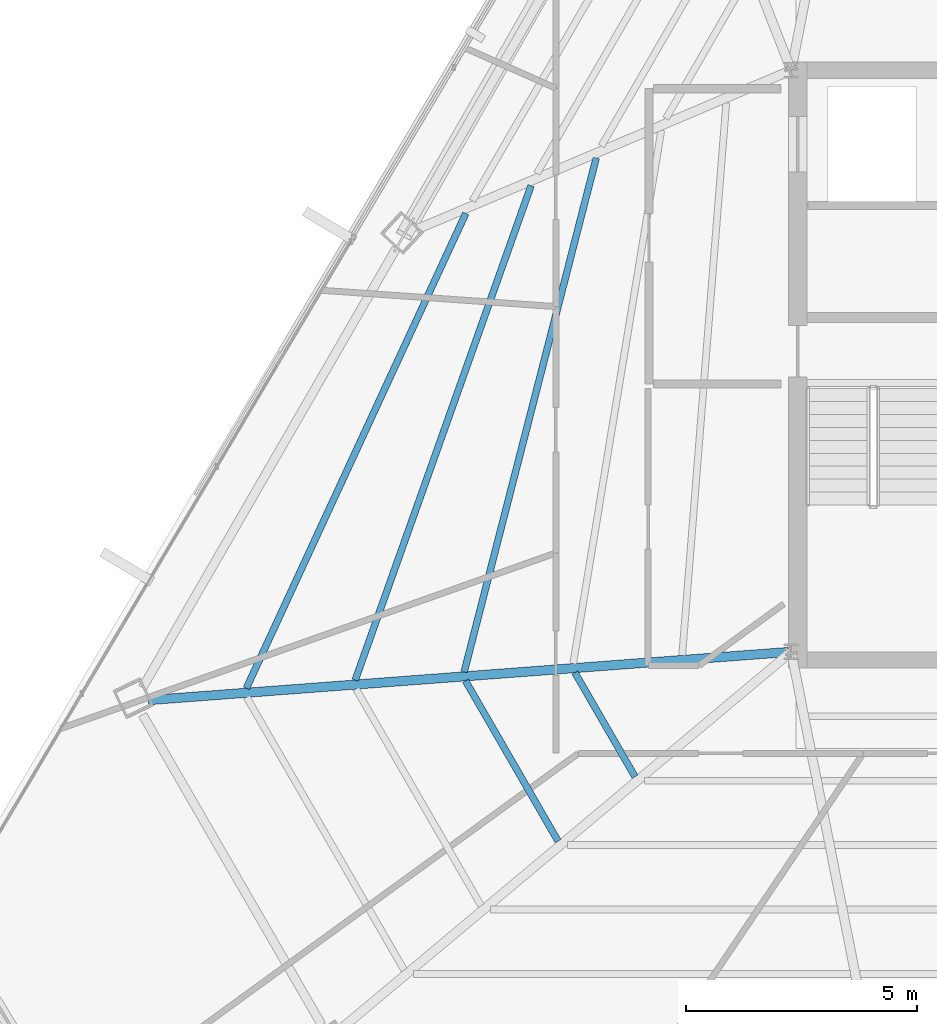
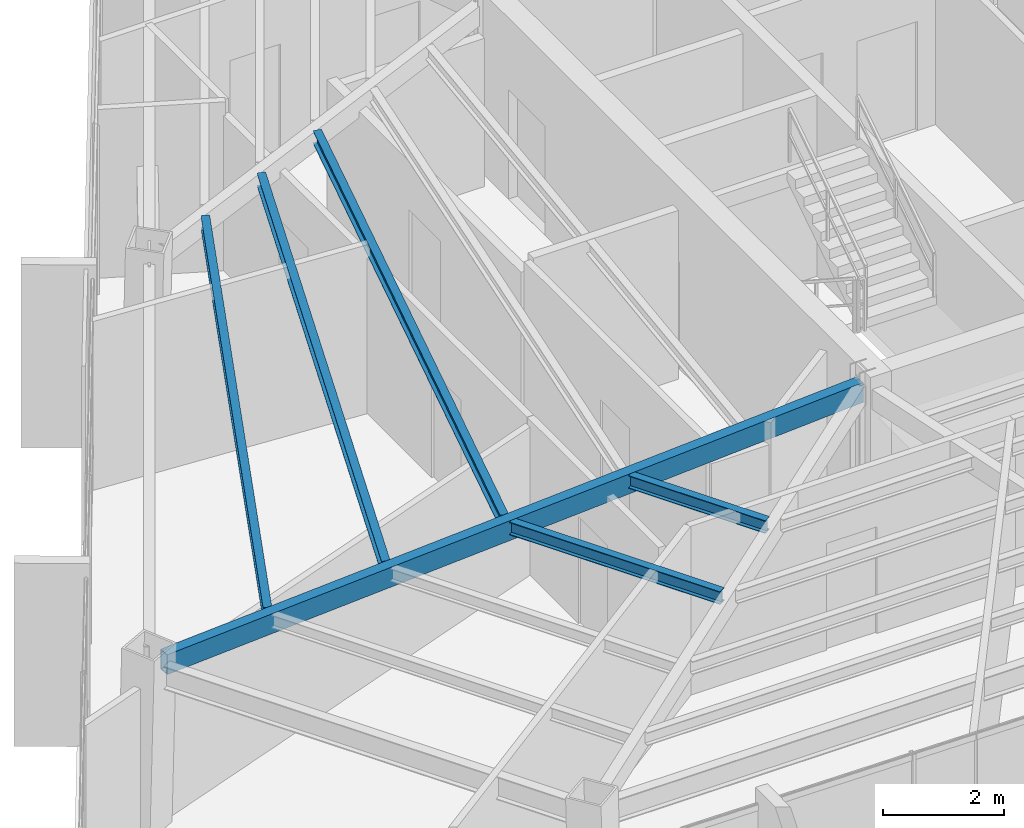
# One storey, part 10 of 46: 6 beams.
"""IFC4 building model written with IfcOpenShell, lengths in metres."""

import ifcopenshell
import ifcopenshell.guid

model = None  # the IFC model being written
_history = None  # IfcOwnerHistory: only IFC2X3 demands one
_inside = {}  # id of a spatial element -> (the spatial element, [elements in it])
_under = {}  # id of a project, library or spatial element -> (it, [spatial elements below it])
_declared = {}  # id of a project -> (the project, [libraries it declares])
_typed = {}  # id of a type object -> (the type object, [elements of that type])
_made_of = {}  # id of a material, layer set ... -> (it, [elements and type objects made of it])


def new_model(schema):
    """Start an empty IFC model of exactly this schema.

    Asked for "IFC4X3", IfcOpenShell would pick the latest addendum, in which some entities
    have other attributes; the version numbers below select the first issue.
    IFC2X3 requires an IfcOwnerHistory on every rooted entity: one is made here for all.
    """
    global model, _history
    if schema == "IFC4X3":
        model = ifcopenshell.file(schema_version=(4, 3, 0, 0))
    else:
        model = ifcopenshell.file(schema=schema)
    _inside.clear()
    _under.clear()
    _declared.clear()
    _typed.clear()
    _made_of.clear()
    _history = None
    if model.schema == "IFC2X3":
        org = make("IfcOrganization", Name="unknown")
        user = make(
            "IfcPersonAndOrganization",
            ThePerson=make("IfcPerson", FamilyName="unknown"),
            TheOrganization=org,
        )
        app = make(
            "IfcApplication",
            ApplicationDeveloper=org,
            Version="unknown",
            ApplicationFullName="unknown",
            ApplicationIdentifier="unknown",
        )
        _history = make(
            "IfcOwnerHistory",
            OwningUser=user,
            OwningApplication=app,
            ChangeAction="ADDED",
            CreationDate=0,
        )
    return model


def make(cls, **values):
    """One entity of the class cls with the attributes given. An attribute that is None is left unset."""
    return model.create_entity(
        cls, **{name: value for name, value in values.items() if value is not None}
    )


def rooted(cls, **values):
    """An entity with a GlobalId (a new one), such as an element, a storey or a relation."""
    return make(cls, GlobalId=ifcopenshell.guid.new(), OwnerHistory=_history, **values)


def si_unit(unit_type, name, prefix=None):
    """IfcSIUnit, for example si_unit("LENGTHUNIT", "METRE", prefix="MILLI")."""
    return make("IfcSIUnit", UnitType=unit_type, Prefix=prefix, Name=name)


def assignment(units):
    """IfcUnitAssignment: the units of a project."""
    return None if units is None else make("IfcUnitAssignment", Units=units)


def point(xyz):
    """IfcCartesianPoint."""
    return None if xyz is None else make("IfcCartesianPoint", Coordinates=xyz)


def direction(xyz):
    """IfcDirection."""
    return None if xyz is None else make("IfcDirection", DirectionRatios=xyz)


def frame(location, z_axis=None, x_axis=None):
    """IfcAxis2Placement3D, a coordinate frame: its origin and axes. An axis left out is left unset."""
    return make(
        "IfcAxis2Placement3D",
        Location=point(location),
        Axis=direction(z_axis),
        RefDirection=direction(x_axis),
    )


def frame_2d(location, x_axis=None):
    """IfcAxis2Placement2D, a coordinate frame in the plane: its origin and x axis."""
    return make(
        "IfcAxis2Placement2D", Location=point(location), RefDirection=direction(x_axis)
    )


def origin():
    """The frame at (0, 0, 0) with its axes left unset."""
    return frame((0.0, 0.0, 0.0))


def origin_2d():
    """The frame at (0, 0) in the plane with its x axis left unset."""
    return frame_2d((0.0, 0.0))


def place(relative_to, where):
    """IfcLocalPlacement: puts the frame where relative to a parent placement (None: the world)."""
    return make(
        "IfcLocalPlacement", PlacementRelTo=relative_to, RelativePlacement=where
    )


def context(
    kind, dimensions, precision=None, world=None, true_north=None, identifier=None
):
    """IfcGeometricRepresentationContext, for example the 3D "Model" context."""
    return make(
        "IfcGeometricRepresentationContext",
        ContextIdentifier=identifier,
        ContextType=kind,
        CoordinateSpaceDimension=dimensions,
        Precision=precision,
        WorldCoordinateSystem=world,
        TrueNorth=true_north,
    )


def subcontext(parent, identifier, kind, view, scale=None):
    """IfcGeometricRepresentationSubContext, for example "Body" below "Model"."""
    return make(
        "IfcGeometricRepresentationSubContext",
        ContextIdentifier=identifier,
        ContextType=kind,
        ParentContext=parent,
        TargetScale=scale,
        TargetView=view,
    )


def project(units=None, contexts=None):
    """IfcProject with its units and contexts."""
    return rooted(
        "IfcProject",
        Name="project",
        RepresentationContexts=contexts,
        UnitsInContext=assignment(units),
    )


def spatial(cls, under=None, at=None, **own):
    """A site, building, storey or space (cls), placed at a placement, below another one or the project."""
    s = rooted(cls, ObjectPlacement=at, **own)
    if under is not None:
        _under.setdefault(under.id(), (under, []))[1].append(s)
    return s


def profile(cls, at=None, kind="AREA", **sizes):
    """A parametric profile (cls). Its sizes go by their IFC names, for example OverallWidth=200.0."""
    return make(cls, ProfileType=kind, Position=at, **sizes)


def hollow_rectangle(**sizes):
    """IfcRectangleHollowProfileDef."""
    return profile("IfcRectangleHollowProfileDef", **sizes)


def i_section(**sizes):
    """IfcIShapeProfileDef."""
    return profile("IfcIShapeProfileDef", **sizes)


def extrude(swept, where, along, depth):
    """IfcExtrudedAreaSolid: the profile swept, set in the frame where, extruded along a direction by depth."""
    return make(
        "IfcExtrudedAreaSolid",
        SweptArea=swept,
        Position=where,
        ExtrudedDirection=direction(along),
        Depth=depth,
    )


def shape(context_of_items, identifier, shape_type, items):
    """IfcShapeRepresentation: the items that make up one representation, for example the "Body"."""
    return make(
        "IfcShapeRepresentation",
        ContextOfItems=context_of_items,
        RepresentationIdentifier=identifier,
        RepresentationType=shape_type,
        Items=items,
    )


def source(mapping_origin, context_of_items, identifier, shape_type, items):
    """IfcRepresentationMap: a shape defined once, which mapped items show again and again."""
    return make(
        "IfcRepresentationMap",
        MappingOrigin=mapping_origin,
        MappedRepresentation=shape(context_of_items, identifier, shape_type, items),
    )


def transform(
    local_origin,
    x_axis=None,
    y_axis=None,
    z_axis=None,
    scale=None,
    scale2=None,
    scale3=None,
    uniform=True,
):
    """IfcCartesianTransformationOperator3D, or its non-uniform kind. x_axis, y_axis, z_axis: its Axis1, 2, 3."""
    if uniform:
        return make(
            "IfcCartesianTransformationOperator3D",
            Axis1=direction(x_axis),
            Axis2=direction(y_axis),
            LocalOrigin=point(local_origin),
            Scale=scale,
            Axis3=direction(z_axis),
        )
    return make(
        "IfcCartesianTransformationOperator3DnonUniform",
        Axis1=direction(x_axis),
        Axis2=direction(y_axis),
        LocalOrigin=point(local_origin),
        Scale=scale,
        Axis3=direction(z_axis),
        Scale2=scale2,
        Scale3=scale3,
    )


def mapped(mapping_source, mapping_target):
    """IfcMappedItem: shows the shape of a source again, moved by a transform."""
    return make(
        "IfcMappedItem", MappingSource=mapping_source, MappingTarget=mapping_target
    )


def material(Name=None, Category=None):
    """IfcMaterial."""
    return make("IfcMaterial", Name=Name, Category=Category)


def material_profile(
    of_material, cross_section, Name=None, Category=None, Priority=None
):
    """IfcMaterialProfile: a cross section and its material."""
    return make(
        "IfcMaterialProfile",
        Name=Name,
        Material=of_material,
        Profile=cross_section,
        Priority=Priority,
        Category=Category,
    )


def profile_set(profiles, Name=None, composite=None):
    """IfcMaterialProfileSet."""
    return make(
        "IfcMaterialProfileSet",
        Name=Name,
        MaterialProfiles=profiles,
        CompositeProfile=composite,
    )


def made_of(thing, what):
    """Note that an element or type object is made of a material, layer set ...; save() writes the relation."""
    if what is not None:
        _made_of.setdefault(what.id(), (what, []))[1].append(thing)
    return thing


def type_object(cls, material=None, **own):
    """A type object (cls), such as IfcWallType, which elements share."""
    return made_of(rooted(cls, **own), material)


def type_shapes(of_type, sources):
    """Give a type object the sources (RepresentationMaps) that its elements show as mapped items."""
    of_type.RepresentationMaps = sources


def element(
    cls,
    number,
    at=None,
    inside=None,
    cuts=None,
    type_object=None,
    material=None,
    context=None,
    identifier="Body",
    shape_type=None,
    held_by="IfcProductDefinitionShape",
    body=None,
    shapes=None,
    **own,
):
    """One element of the class cls, such as IfcWall. Its Tag is "e" and its number.

    at: its placement. inside: the storey or other place that contains it. cuts: it is an
    opening in that element (IfcRelVoidsElement). A single representation is given by context,
    identifier, shape_type and body (its items); several are given by shapes. held_by: the class
    of the entity that holds the representations. save() writes the other relations.
    """
    e = rooted(cls, Tag="e%d" % number, ObjectPlacement=at, **own)
    if body is not None:
        shapes = [shape(context, identifier, shape_type, body)]
    if shapes is not None:
        e.Representation = make(held_by, Representations=shapes)
    if inside is not None:
        _inside.setdefault(inside.id(), (inside, []))[1].append(e)
    if cuts is not None:
        rooted(
            "IfcRelVoidsElement", RelatingBuildingElement=cuts, RelatedOpeningElement=e
        )
    if type_object is not None:
        _typed.setdefault(type_object.id(), (type_object, []))[1].append(e)
    return made_of(e, material)


def aggregate(whole, parts):
    """IfcRelAggregates: a whole, such as a stair, and the parts it consists of."""
    return rooted("IfcRelAggregates", RelatingObject=whole, RelatedObjects=parts)


def save(model, path):
    """Write the relations noted so far, then the file.

    IfcRelAggregates (storeys below a building ...), IfcRelContainedInSpatialStructure (elements
    in a storey), IfcRelDefinesByType, IfcRelAssociatesMaterial and IfcRelDeclares: one each for
    every whole, place, type object, material and project.
    """
    for whole, parts in _under.values():
        aggregate(whole, parts)
    for where, things in _inside.values():
        rooted(
            "IfcRelContainedInSpatialStructure",
            RelatedElements=things,
            RelatingStructure=where,
        )
    for kind, things in _typed.values():
        rooted("IfcRelDefinesByType", RelatedObjects=things, RelatingType=kind)
    for what, things in _made_of.values():
        rooted("IfcRelAssociatesMaterial", RelatedObjects=things, RelatingMaterial=what)
    for by, libraries in _declared.values():
        rooted("IfcRelDeclares", RelatingContext=by, RelatedDefinitions=libraries)
    model.write(path)


model = new_model("IFC4")

# Units and contexts
model_context = context("Model", 3, precision=1e-05, world=origin(), true_north=direction((0.0, 1.0)))
body_context = subcontext(model_context, "Body", "Model", "MODEL_VIEW")
ifc_project = project(units=[si_unit("LENGTHUNIT", "METRE"), si_unit("AREAUNIT", "SQUARE_METRE"), si_unit("VOLUMEUNIT", "CUBIC_METRE"), si_unit("PLANEANGLEUNIT", "RADIAN"), si_unit("MASSUNIT", "GRAM", prefix="KILO")], contexts=[model_context])

# Site, building, storey
site_placement = place(None, origin())
site = spatial("IfcSite", under=ifc_project, at=site_placement, CompositionType="ELEMENT")
building_placement = place(site_placement, origin())
building = spatial("IfcBuilding", under=site, at=building_placement, Name="Caelisora Broadcast Tower", CompositionType="ELEMENT")
storey_placement = place(building_placement, frame((0.0, 0.0, 237.14990234375)))
storey = spatial("IfcBuildingStorey", under=building, at=storey_placement, Name="L62", CompositionType="ELEMENT", Elevation=237.14990234375)

# Beams
ifc_material_1 = material(Name="Steel Grade 350 (AS/NZS 1163 C350L0)", Category="steel")
ifc_material_profile_1 = material_profile(ifc_material_1, hollow_rectangle(XDim=0.199951171875, YDim=0.39990234375, WallThickness=0.012451171875, at=origin_2d()), Name="Steel Grade 350 (AS/NZS 1163 C350L0)")
ifc_profile_set_1 = profile_set([ifc_material_profile_1], Name="Steel Grade 350 (AS/NZS 1163 C350L0)")
beam_type_1 = type_object("IfcBeamType", Name="PG07", PredefinedType="BEAM", material=ifc_profile_set_1)
shared_shape_1 = source(origin(), body_context, "Body", "SweptSolid", [
    extrude(hollow_rectangle(XDim=0.199951171875, YDim=0.39990234375, WallThickness=0.012451171875, at=origin_2d()), origin(), (0.0, 0.0, 1.0), 13.90478515625),
])
type_shapes(beam_type_1, [shared_shape_1])
beam_1_placement = place(storey_placement, frame((30.440185546875, 17.3955078125, 3.2001953125), z_axis=(-0.997181570976, -0.075026092173, 0.0), x_axis=(0.075026092173, -0.997181570976, 0.0)))
element("IfcBeam", 1, at=beam_1_placement, inside=storey, type_object=beam_type_1, Name="L62 beam PG07", PredefinedType="BEAM", context=body_context, shape_type="MappedRepresentation", body=[
    mapped(shared_shape_1, transform((0.0, 0.0, 0.0), scale=1.0)),
])
ifc_material_2 = material(Name="Steel Grade 350 (AS/NZS 3679.1)", Category="steel")
ifc_material_profile_2 = material_profile(ifc_material_2, i_section(OverallWidth=0.14599609375, OverallDepth=0.256103515625, WebThickness=0.00634765625, FlangeThickness=0.010986328125, at=origin_2d()), Name="Steel Grade 350 (AS/NZS 3679.1)")
ifc_profile_set_2 = profile_set([ifc_material_profile_2], Name="Steel Grade 350 (AS/NZS 3679.1)")
beam_type_2 = type_object("IfcBeamType", Name="SB04", PredefinedType="JOIST", material=ifc_profile_set_2)
shared_shape_2 = source(origin(), body_context, "Body", "SweptSolid", [
    extrude(i_section(OverallWidth=0.14599609375, OverallDepth=0.256103515625, WebThickness=0.00634765625, FlangeThickness=0.010986328125, at=origin_2d()), origin(), (0.0, 0.0, 1.0), 11.496337890625),
])
beam_2_placement = place(storey_placement, frame((26.275390625, 28.098876953125, 3.27197265625), z_axis=(-0.248871436077, -0.968536529154, 0.0), x_axis=(0.968536529154, -0.248871436077, 0.0)))
element("IfcBeam", 2, at=beam_2_placement, inside=storey, type_object=beam_type_2, Name="L62 beam SB04", PredefinedType="JOIST", context=body_context, shape_type="MappedRepresentation", body=[
    mapped(shared_shape_2, transform((0.0, 0.0, 0.0), scale=1.0)),
])
shared_shape_3 = source(origin(), body_context, "Body", "SweptSolid", [
    extrude(i_section(OverallWidth=0.14599609375, OverallDepth=0.256103515625, WebThickness=0.00634765625, FlangeThickness=0.010986328125, at=origin_2d()), origin(), (0.0, 0.0, 1.0), 11.368896484375),
])
beam_3_placement = place(storey_placement, frame((24.863525390625, 27.49853515625, 3.27197265625), z_axis=(-0.335066860233, -0.942194353185, 0.0), x_axis=(0.942194353185, -0.335066860233, 0.0)))
element("IfcBeam", 3, at=beam_3_placement, inside=storey, type_object=beam_type_2, Name="L62 beam SB04", PredefinedType="JOIST", context=body_context, shape_type="MappedRepresentation", body=[
    mapped(shared_shape_3, transform((0.0, 0.0, 0.0), scale=1.0)),
])
shared_shape_4 = source(origin(), body_context, "Body", "SweptSolid", [
    extrude(i_section(OverallWidth=0.14599609375, OverallDepth=0.256103515625, WebThickness=0.00634765625, FlangeThickness=0.010986328125, at=origin_2d()), origin(), (0.0, 0.0, 1.0), 11.333251953125),
])
beam_4_placement = place(storey_placement, frame((23.448974609375, 26.897216796875, 3.27197265625), z_axis=(-0.419488446091, -0.907760675286, 0.0), x_axis=(0.907760675286, -0.419488446091, 0.0)))
element("IfcBeam", 4, at=beam_4_placement, inside=storey, type_object=beam_type_2, Name="L62 beam SB04", PredefinedType="JOIST", context=body_context, shape_type="MappedRepresentation", body=[
    mapped(shared_shape_4, transform((0.0, 0.0, 0.0), scale=1.0)),
])
shared_shape_5 = source(origin(), body_context, "Body", "SweptSolid", [
    extrude(i_section(OverallWidth=0.14599609375, OverallDepth=0.256103515625, WebThickness=0.00634765625, FlangeThickness=0.010986328125, at=origin_2d()), origin(), (0.0, 0.0, 1.0), 2.60595703125),
])
beam_5_placement = place(storey_placement, frame((25.813232421875, 16.94970703125, 3.27197265625), z_axis=(0.499998180979, -0.866026453994, 0.0), x_axis=(0.866026453994, 0.499998180979, 0.0)))
element("IfcBeam", 5, at=beam_5_placement, inside=storey, type_object=beam_type_2, Name="L62 beam SB04", PredefinedType="JOIST", context=body_context, shape_type="MappedRepresentation", body=[
    mapped(shared_shape_5, transform((0.0, 0.0, 0.0), scale=1.0)),
])
shared_shape_6 = source(origin(), body_context, "Body", "SweptSolid", [
    extrude(i_section(OverallWidth=0.14599609375, OverallDepth=0.256103515625, WebThickness=0.00634765625, FlangeThickness=0.010986328125, at=origin_2d()), origin(), (0.0, 0.0, 1.0), 4.01220703125),
])
type_shapes(beam_type_2, [shared_shape_2, shared_shape_3, shared_shape_4, shared_shape_5, shared_shape_6])
beam_6_placement = place(storey_placement, frame((23.44287109375, 16.771484375, 3.27197265625), z_axis=(0.500006889861, -0.866021425885, 0.0), x_axis=(0.866021425885, 0.500006889861, 0.0)))
element("IfcBeam", 6, at=beam_6_placement, inside=storey, type_object=beam_type_2, Name="L62 beam SB04", PredefinedType="JOIST", context=body_context, shape_type="MappedRepresentation", body=[
    mapped(shared_shape_6, transform((0.0, 0.0, 0.0), scale=1.0)),
])

save(model, "model.ifc")
